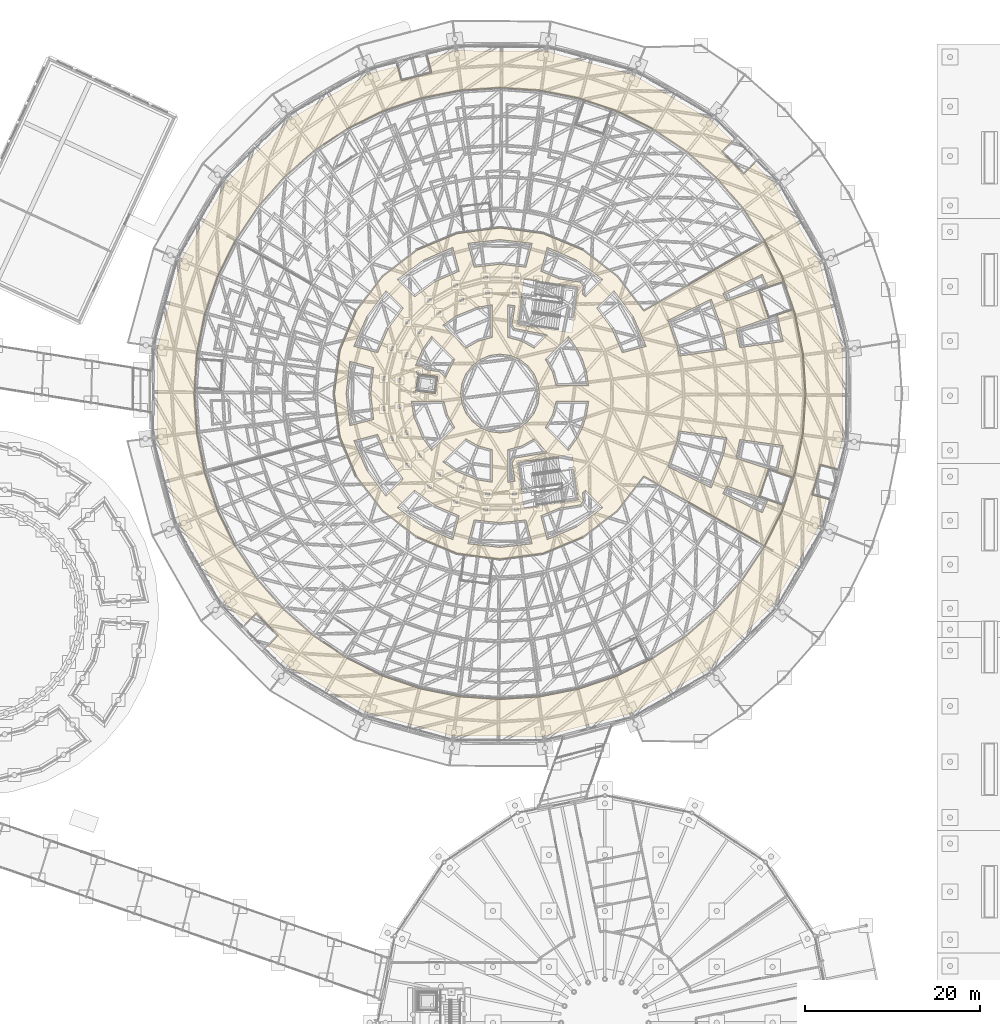
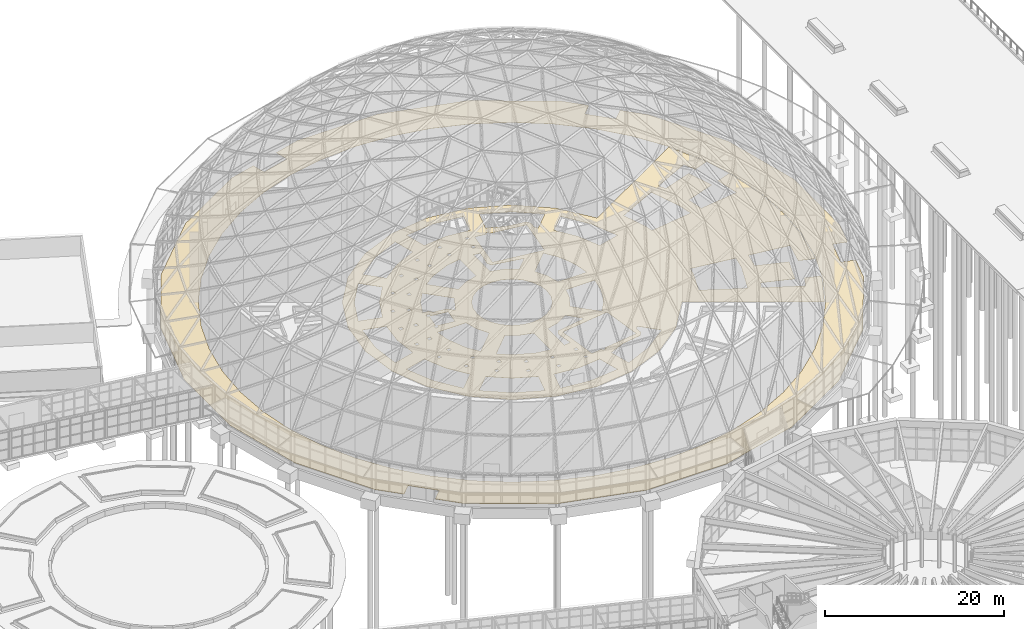
# One storey, part 222 of 226: 2 coverings.
"""IFC4 building model written with IfcOpenShell, lengths in metres."""

from ifc_helpers import new_model, si_unit, direction, origin, place, context, subcontext, project, spatial, polyline, outline, extrude, material, layer, layer_set, type_object, element, save


model = new_model("IFC4")

# Units and contexts
model_context = context("Model", 3, precision=1e-05, world=origin(), true_north=direction((0.0, 1.0)))
body_context = subcontext(model_context, "Body", "Model", "MODEL_VIEW")
ifc_project = project(units=[si_unit("LENGTHUNIT", "METRE"), si_unit("AREAUNIT", "SQUARE_METRE"), si_unit("VOLUMEUNIT", "CUBIC_METRE"), si_unit("PLANEANGLEUNIT", "RADIAN"), si_unit("MASSUNIT", "GRAM", prefix="KILO")], contexts=[model_context])

# Site, building, storey
site_placement = place(None, origin())
site = spatial("IfcSite", under=ifc_project, at=site_placement, CompositionType="ELEMENT")
building_placement = place(site_placement, origin())
building = spatial("IfcBuilding", under=site, at=building_placement, Name="Ceibo Conservatory and Research Tower", CompositionType="ELEMENT")
storey_placement = place(building_placement, origin())
storey = spatial("IfcBuildingStorey", under=building, at=storey_placement, Name="L00", CompositionType="ELEMENT", Elevation=0.0)

# Coverings
ifc_material = material(Name="Granite paving", Category="masonry")
ifc_layer = layer(ifc_material, 0.02001953125)
ifc_layer_set = layer_set([ifc_layer], Name="Granite paving")
covering_type = type_object("IfcCoveringType", Name="Paving 20", PredefinedType="FLOORING", material=ifc_layer_set)
covering_1_placement = place(storey_placement, origin())
element("IfcCovering", 1, at=covering_1_placement, inside=storey, type_object=covering_type, Name="Path paving A-PV01", PredefinedType="FLOORING", context=body_context, shape_type="SweptSolid", body=[
    extrude(outline(polyline([(172.47998046875, 117.4560546875), (172.4541015625, 117.5), (172.4140625, 117.469970703125), (169.39990234375, 121.39990234375), (165.47412109375, 124.409912109375), (160.904052734375, 126.303955078125), (156.0, 126.949951171875), (151.095947265625, 126.303955078125), (146.52587890625, 124.409912109375), (142.60009765625, 121.39990234375), (139.590087890625, 117.47412109375), (137.696044921875, 112.904052734375), (137.050048828125, 108.0), (137.672119140625, 103.27392578125), (137.696044921875, 103.095947265625), (139.590087890625, 98.52587890625), (142.60009765625, 94.60009765625), (146.52587890625, 91.590087890625), (151.095947265625, 89.696044921875), (156.0, 89.050048828125), (160.904052734375, 89.696044921875), (165.47412109375, 91.590087890625), (169.39990234375, 94.60009765625), (172.4140625, 98.530029296875), (172.4541015625, 98.5), (172.47998046875, 98.5439453125), (177.676025390625, 95.5439453125), (182.006103515625, 93.0439453125), (185.469970703125, 91.0439453125), (186.24609375, 90.595947265625), (188.243896484375, 94.64404296875), (188.429931640625, 95.196044921875), (186.635986328125, 95.805908203125), (185.99609375, 94.3720703125), (181.510009765625, 96.55810546875), (181.927978515625, 97.404052734375), (185.637939453125, 96.14404296875), (186.72998046875, 99.364013671875), (183.02001953125, 100.6240234375), (183.43994140625, 102.72998046875), (188.387939453125, 102.033935546875), (187.72802734375, 99.02392578125), (189.52392578125, 98.416015625), (189.7099609375, 98.968017578125), (190.60205078125, 103.444091796875), (190.89990234375, 108.0), (190.60205078125, 112.555908203125), (189.7099609375, 117.031982421875), (189.52392578125, 117.583984375), (187.72802734375, 116.97607421875), (188.387939453125, 113.966064453125), (183.43994140625, 113.27001953125), (183.02001953125, 115.3759765625), (186.72998046875, 116.635986328125), (185.637939453125, 119.85595703125), (181.927978515625, 118.595947265625), (181.510009765625, 119.44189453125), (185.99609375, 121.6279296875), (186.635986328125, 120.194091796875), (188.429931640625, 120.803955078125), (188.243896484375, 121.35595703125), (186.24609375, 125.404052734375), (185.469970703125, 124.9560546875), (182.006103515625, 122.9560546875), (177.676025390625, 120.4560546875), (172.47998046875, 117.4560546875)]), holes=[polyline([(176.510009765625, 112.2958984375), (176.283935546875, 113.43603515625), (175.23193359375, 116.3779296875), (180.166015625, 118.783935546875), (181.597900390625, 114.85791015625), (181.9541015625, 113.06201171875), (176.510009765625, 112.2958984375)]), polyline([(180.166015625, 97.216064453125), (175.23193359375, 99.6220703125), (176.283935546875, 102.56396484375), (176.510009765625, 103.7041015625), (181.9541015625, 102.93798828125), (181.597900390625, 101.14208984375), (180.166015625, 97.216064453125)]), polyline([(171.241943359375, 116.800048828125), (172.7099609375, 113.409912109375), (170.006103515625, 112.68408203125), (168.818115234375, 115.39990234375), (167.06005859375, 117.7880859375), (169.0400390625, 119.76611328125), (171.241943359375, 116.800048828125)]), polyline([(165.451904296875, 119.35400390625), (165.5419921875, 120.27197265625), (165.18408203125, 120.75390625), (162.748046875, 121.137939453125), (160.68408203125, 122.006103515625), (161.409912109375, 124.7099609375), (164.800048828125, 123.241943359375), (167.76611328125, 121.0400390625), (165.7880859375, 119.06005859375), (165.451904296875, 119.35400390625)]), polyline([(162.748046875, 94.862060546875), (165.18408203125, 95.24609375), (165.5419921875, 95.72802734375), (165.451904296875, 96.64599609375), (165.7880859375, 96.93994140625), (167.76611328125, 94.9599609375), (164.800048828125, 92.758056640625), (161.409912109375, 91.2900390625), (160.68408203125, 93.993896484375), (162.748046875, 94.862060546875)]), polyline([(164.833984375, 113.10009765625), (165.424072265625, 111.904052734375), (165.85205078125, 110.639892578125), (166.14208984375, 108.89990234375), (162.43408203125, 108.89990234375), (162.006103515625, 110.488037109375), (161.18603515625, 111.9140625), (163.80810546875, 114.533935546875), (164.833984375, 113.10009765625)]), polyline([(161.18603515625, 104.0859375), (162.006103515625, 105.511962890625), (162.43408203125, 107.10009765625), (166.14208984375, 107.10009765625), (165.85205078125, 105.360107421875), (165.424072265625, 104.095947265625), (164.833984375, 102.89990234375), (163.80810546875, 101.466064453125), (161.18603515625, 104.0859375)]), polyline([(164.239990234375, 115.052001953125), (164.236083984375, 115.0439453125), (164.23193359375, 115.033935546875), (164.22607421875, 115.02587890625), (164.219970703125, 115.01806640625), (164.214111328125, 115.011962890625), (164.2060546875, 115.006103515625), (164.197998046875, 115.0), (164.18798828125, 114.99609375), (164.179931640625, 114.991943359375), (164.169921875, 114.988037109375), (164.159912109375, 114.986083984375), (164.152099609375, 114.986083984375), (164.14208984375, 114.986083984375), (164.132080078125, 114.986083984375), (158.110107421875, 115.83203125), (158.10009765625, 115.833984375), (158.092041015625, 115.837890625), (158.08203125, 115.840087890625), (158.073974609375, 115.845947265625), (158.06591796875, 115.85009765625), (158.05810546875, 115.85595703125), (158.050048828125, 115.864013671875), (158.0439453125, 115.8720703125), (158.0400390625, 115.8798828125), (158.033935546875, 115.887939453125), (158.030029296875, 115.89794921875), (158.028076171875, 115.906005859375), (158.02587890625, 115.916015625), (158.02392578125, 115.926025390625), (158.02392578125, 115.93603515625), (158.02587890625, 115.946044921875), (158.736083984375, 120.99609375), (158.738037109375, 121.006103515625), (158.739990234375, 121.013916015625), (158.743896484375, 121.02392578125), (158.748046875, 121.031982421875), (158.75390625, 121.0400390625), (158.760009765625, 121.048095703125), (158.76611328125, 121.055908203125), (158.77392578125, 121.06201171875), (158.781982421875, 121.068115234375), (158.7900390625, 121.072021484375), (158.800048828125, 121.075927734375), (158.81005859375, 121.077880859375), (158.818115234375, 121.080078125), (158.827880859375, 121.08203125), (158.837890625, 121.08203125), (158.847900390625, 121.080078125), (160.139892578125, 120.89990234375), (160.139892578125, 121.1220703125), (160.5400390625, 121.1220703125), (160.5400390625, 120.843994140625), (164.8701171875, 120.23388671875), (164.8779296875, 120.23193359375), (164.887939453125, 120.22998046875), (164.89794921875, 120.22607421875), (164.906005859375, 120.221923828125), (164.9140625, 120.216064453125), (164.922119140625, 120.2099609375), (164.927978515625, 120.2041015625), (164.93603515625, 120.196044921875), (164.93994140625, 120.18798828125), (164.946044921875, 120.179931640625), (164.949951171875, 120.169921875), (164.951904296875, 120.159912109375), (164.9541015625, 120.152099609375), (164.9541015625, 120.14208984375), (164.9560546875, 120.132080078125), (164.9541015625, 120.1220703125), (164.243896484375, 115.072021484375), (164.241943359375, 115.06201171875), (164.239990234375, 115.052001953125)]), polyline([(160.5400390625, 94.8779296875), (160.139892578125, 94.8779296875), (160.139892578125, 95.10009765625), (158.847900390625, 94.919921875), (158.837890625, 94.91796875), (158.827880859375, 94.91796875), (158.818115234375, 94.919921875), (158.81005859375, 94.922119140625), (158.800048828125, 94.924072265625), (158.7900390625, 94.927978515625), (158.781982421875, 94.931884765625), (158.77392578125, 94.93798828125), (158.76611328125, 94.944091796875), (158.760009765625, 94.951904296875), (158.75390625, 94.9599609375), (158.748046875, 94.968017578125), (158.743896484375, 94.97607421875), (158.739990234375, 94.986083984375), (158.738037109375, 94.993896484375), (158.736083984375, 95.00390625), (158.02587890625, 100.053955078125), (158.02392578125, 100.06396484375), (158.02392578125, 100.073974609375), (158.02587890625, 100.083984375), (158.028076171875, 100.093994140625), (158.030029296875, 100.10205078125), (158.033935546875, 100.112060546875), (158.0400390625, 100.1201171875), (158.0439453125, 100.1279296875), (158.050048828125, 100.135986328125), (158.05810546875, 100.14404296875), (158.06591796875, 100.14990234375), (158.073974609375, 100.154052734375), (158.08203125, 100.159912109375), (158.092041015625, 100.162109375), (158.10009765625, 100.166015625), (158.110107421875, 100.16796875), (164.132080078125, 101.013916015625), (164.14208984375, 101.013916015625), (164.152099609375, 101.013916015625), (164.159912109375, 101.013916015625), (164.169921875, 101.011962890625), (164.179931640625, 101.008056640625), (164.18798828125, 101.00390625), (164.197998046875, 101.0), (164.2060546875, 100.993896484375), (164.214111328125, 100.988037109375), (164.219970703125, 100.98193359375), (164.22607421875, 100.97412109375), (164.23193359375, 100.966064453125), (164.236083984375, 100.9560546875), (164.239990234375, 100.947998046875), (164.241943359375, 100.93798828125), (164.243896484375, 100.927978515625), (164.9541015625, 95.8779296875), (164.9560546875, 95.867919921875), (164.9541015625, 95.85791015625), (164.9541015625, 95.847900390625), (164.951904296875, 95.840087890625), (164.949951171875, 95.830078125), (164.946044921875, 95.820068359375), (164.93994140625, 95.81201171875), (164.93603515625, 95.803955078125), (164.927978515625, 95.7958984375), (164.922119140625, 95.7900390625), (164.9140625, 95.783935546875), (164.906005859375, 95.778076171875), (164.89794921875, 95.77392578125), (164.887939453125, 95.77001953125), (164.8779296875, 95.76806640625), (164.8701171875, 95.76611328125), (160.5400390625, 95.156005859375), (160.5400390625, 94.8779296875)]), polyline([(156.89990234375, 118.14208984375), (157.714111328125, 118.035888671875), (157.367919921875, 115.926025390625), (157.635986328125, 115.429931640625), (161.424072265625, 114.696044921875), (159.9140625, 113.18603515625), (158.488037109375, 114.006103515625), (156.89990234375, 114.43408203125), (156.89990234375, 118.14208984375)]), polyline([(156.89990234375, 101.56591796875), (158.488037109375, 101.993896484375), (159.9140625, 102.81396484375), (161.39990234375, 101.236083984375), (157.68798828125, 100.615966796875), (157.367919921875, 100.073974609375), (157.714111328125, 97.964111328125), (156.89990234375, 97.85791015625), (156.89990234375, 101.56591796875)]), polyline([(159.181884765625, 111.181884765625), (159.89794921875, 110.25), (160.345947265625, 109.1640625), (160.5, 108.0), (160.345947265625, 106.8359375), (159.89794921875, 105.75), (159.181884765625, 104.818115234375), (158.25, 104.10205078125), (157.1640625, 103.654052734375), (156.0, 103.5), (154.8359375, 103.654052734375), (153.75, 104.10205078125), (152.818115234375, 104.818115234375), (152.10205078125, 105.75), (151.654052734375, 106.8359375), (151.5, 108.0), (151.654052734375, 109.1640625), (152.10205078125, 110.25), (152.818115234375, 111.181884765625), (153.75, 111.89794921875), (154.8359375, 112.345947265625), (156.0, 112.5), (157.1640625, 112.345947265625), (158.25, 111.89794921875), (159.181884765625, 111.181884765625)]), polyline([(156.0, 90.39990234375), (152.330078125, 90.823974609375), (153.053955078125, 93.528076171875), (156.0, 93.199951171875), (158.946044921875, 93.528076171875), (159.669921875, 90.823974609375), (156.0, 90.39990234375)]), polyline([(156.0, 125.60009765625), (159.669921875, 125.176025390625), (158.946044921875, 122.471923828125), (156.0, 122.800048828125), (153.053955078125, 122.471923828125), (152.330078125, 125.176025390625), (156.0, 125.60009765625)]), polyline([(158.06396484375, 94.530029296875), (157.6640625, 94.530029296875), (157.6640625, 94.929931640625), (158.06396484375, 94.929931640625), (158.06396484375, 94.530029296875)]), polyline([(157.6640625, 121.070068359375), (157.6640625, 121.469970703125), (158.06396484375, 121.469970703125), (158.06396484375, 121.070068359375), (157.6640625, 121.070068359375)]), polyline([(157.81396484375, 96.31201171875), (157.4140625, 96.31201171875), (157.4140625, 96.7119140625), (157.81396484375, 96.7119140625), (157.81396484375, 96.31201171875)]), polyline([(157.4140625, 119.2880859375), (157.4140625, 119.68798828125), (157.81396484375, 119.68798828125), (157.81396484375, 119.2880859375), (157.4140625, 119.2880859375)]), polyline([(153.360107421875, 117.85205078125), (155.10009765625, 118.14208984375), (155.10009765625, 114.43408203125), (153.511962890625, 114.006103515625), (152.0859375, 113.18603515625), (149.466064453125, 115.80810546875), (150.89990234375, 116.833984375), (153.360107421875, 117.85205078125)]), polyline([(150.89990234375, 99.166015625), (149.466064453125, 100.19189453125), (152.0859375, 102.81396484375), (153.511962890625, 101.993896484375), (155.10009765625, 101.56591796875), (155.10009765625, 97.85791015625), (153.360107421875, 98.14794921875), (150.89990234375, 99.166015625)]), polyline([(154.77001953125, 119.31201171875), (154.3701171875, 119.31201171875), (154.3701171875, 119.7119140625), (154.77001953125, 119.7119140625), (154.77001953125, 119.31201171875)]), polyline([(154.77001953125, 96.2880859375), (154.3701171875, 96.2880859375), (154.3701171875, 96.68798828125), (154.77001953125, 96.68798828125), (154.77001953125, 96.2880859375)]), polyline([(154.14990234375, 121.097900390625), (154.14990234375, 121.498046875), (154.550048828125, 121.498046875), (154.550048828125, 121.097900390625), (154.14990234375, 121.097900390625)]), polyline([(154.550048828125, 94.501953125), (154.14990234375, 94.501953125), (154.14990234375, 94.902099609375), (154.550048828125, 94.902099609375), (154.550048828125, 94.501953125)]), polyline([(151.825927734375, 118.5439453125), (151.426025390625, 118.5439453125), (151.426025390625, 118.944091796875), (151.825927734375, 118.944091796875), (151.825927734375, 118.5439453125)]), polyline([(151.426025390625, 97.055908203125), (151.426025390625, 97.4560546875), (151.825927734375, 97.4560546875), (151.825927734375, 97.055908203125), (151.426025390625, 97.055908203125)]), polyline([(147.199951171875, 92.758056640625), (144.23388671875, 94.9599609375), (146.2119140625, 96.93994140625), (148.60009765625, 95.181884765625), (151.31591796875, 93.993896484375), (150.590087890625, 91.2900390625), (147.199951171875, 92.758056640625)]), polyline([(147.199951171875, 123.241943359375), (150.590087890625, 124.7099609375), (151.31591796875, 122.006103515625), (148.60009765625, 120.818115234375), (146.2119140625, 119.06005859375), (144.23388671875, 121.0400390625), (147.199951171875, 123.241943359375)]), polyline([(151.14599609375, 95.389892578125), (150.74609375, 95.389892578125), (150.74609375, 95.7900390625), (151.14599609375, 95.7900390625), (151.14599609375, 95.389892578125)]), polyline([(151.14599609375, 120.2099609375), (150.74609375, 120.2099609375), (150.74609375, 120.610107421875), (151.14599609375, 120.610107421875), (151.14599609375, 120.2099609375)]), polyline([(148.19189453125, 114.533935546875), (150.81396484375, 111.9140625), (149.763916015625, 109.81005859375), (149.080078125, 110.510009765625), (147.444091796875, 110.74609375), (147.06396484375, 111.154052734375), (146.337890625, 111.199951171875), (147.166015625, 113.10009765625), (148.19189453125, 114.533935546875)]), polyline([(146.14794921875, 105.360107421875), (145.85791015625, 107.10009765625), (149.56591796875, 107.10009765625), (149.993896484375, 105.511962890625), (150.81396484375, 104.0859375), (148.19189453125, 101.466064453125), (147.166015625, 102.89990234375), (146.14794921875, 105.360107421875)]), polyline([(148.781982421875, 117.035888671875), (148.781982421875, 117.43603515625), (149.181884765625, 117.43603515625), (149.181884765625, 117.035888671875), (148.781982421875, 117.035888671875)]), polyline([(149.181884765625, 98.56396484375), (148.781982421875, 98.56396484375), (148.781982421875, 98.964111328125), (149.181884765625, 98.964111328125), (149.181884765625, 98.56396484375)]), polyline([(146.132080078125, 107.919921875), (146.132080078125, 108.320068359375), (146.35791015625, 108.320068359375), (146.60791015625, 110.199951171875), (146.43408203125, 110.199951171875), (146.43408203125, 110.60009765625), (146.833984375, 110.60009765625), (146.833984375, 110.221923828125), (148.843994140625, 109.9560546875), (148.85009765625, 109.9541015625), (148.85400390625, 109.9541015625), (148.85791015625, 109.951904296875), (148.864013671875, 109.949951171875), (148.867919921875, 109.946044921875), (148.8720703125, 109.944091796875), (148.8740234375, 109.93994140625), (148.8779296875, 109.93603515625), (148.8798828125, 109.931884765625), (148.884033203125, 109.927978515625), (148.884033203125, 109.924072265625), (148.885986328125, 109.91796875), (148.887939453125, 109.9140625), (148.887939453125, 109.909912109375), (148.887939453125, 109.904052734375), (148.887939453125, 109.89990234375), (148.637939453125, 108.01611328125), (148.637939453125, 108.011962890625), (148.635986328125, 108.006103515625), (148.634033203125, 108.001953125), (148.632080078125, 107.998046875), (148.6298828125, 107.993896484375), (148.6259765625, 107.989990234375), (148.6240234375, 107.986083984375), (148.6201171875, 107.98193359375), (148.615966796875, 107.97998046875), (148.610107421875, 107.97802734375), (148.60595703125, 107.97607421875), (148.60205078125, 107.97412109375), (148.597900390625, 107.97412109375), (148.592041015625, 107.971923828125), (148.587890625, 107.971923828125), (148.58203125, 107.971923828125), (146.531982421875, 108.243896484375), (146.531982421875, 107.919921875), (146.132080078125, 107.919921875)]), polyline([(148.092041015625, 97.530029296875), (148.092041015625, 97.1298828125), (147.69189453125, 97.1298828125), (147.69189453125, 97.530029296875), (148.092041015625, 97.530029296875)]), polyline([(148.092041015625, 118.469970703125), (147.69189453125, 118.469970703125), (147.69189453125, 118.8701171875), (148.092041015625, 118.8701171875), (148.092041015625, 118.469970703125)]), polyline([(147.02001953125, 114.89208984375), (146.6201171875, 114.89208984375), (146.6201171875, 115.2919921875), (147.02001953125, 115.2919921875), (147.02001953125, 114.89208984375)]), polyline([(147.02001953125, 100.7080078125), (146.6201171875, 100.7080078125), (146.6201171875, 101.10791015625), (147.02001953125, 101.10791015625), (147.02001953125, 100.7080078125)]), polyline([(145.196044921875, 115.993896484375), (145.196044921875, 116.39404296875), (145.595947265625, 116.39404296875), (145.595947265625, 115.993896484375), (145.196044921875, 115.993896484375)]), polyline([(145.595947265625, 99.60595703125), (145.196044921875, 99.60595703125), (145.196044921875, 100.006103515625), (145.595947265625, 100.006103515625), (145.595947265625, 99.60595703125)]), polyline([(145.491943359375, 103.340087890625), (145.092041015625, 103.340087890625), (145.092041015625, 103.739990234375), (145.491943359375, 103.739990234375), (145.491943359375, 103.340087890625)]), polyline([(145.491943359375, 112.260009765625), (145.092041015625, 112.260009765625), (145.092041015625, 112.659912109375), (145.491943359375, 112.659912109375), (145.491943359375, 112.260009765625)]), polyline([(140.758056640625, 99.199951171875), (139.2900390625, 102.590087890625), (141.993896484375, 103.31591796875), (143.181884765625, 100.60009765625), (144.93994140625, 98.2119140625), (142.9599609375, 96.23388671875), (140.758056640625, 99.199951171875)]), polyline([(140.758056640625, 116.800048828125), (142.9599609375, 119.76611328125), (144.93994140625, 117.7880859375), (143.181884765625, 115.39990234375), (141.993896484375, 112.68408203125), (139.2900390625, 113.409912109375), (140.758056640625, 116.800048828125)]), polyline([(144.699951171875, 109.322021484375), (144.300048828125, 109.322021484375), (144.300048828125, 109.721923828125), (144.699951171875, 109.721923828125), (144.699951171875, 109.322021484375)]), polyline([(144.300048828125, 106.278076171875), (144.300048828125, 106.677978515625), (144.699951171875, 106.677978515625), (144.699951171875, 106.278076171875), (144.300048828125, 106.278076171875)]), polyline([(143.830078125, 112.951904296875), (143.429931640625, 112.951904296875), (143.429931640625, 113.35205078125), (143.830078125, 113.35205078125), (143.830078125, 112.951904296875)]), polyline([(143.830078125, 102.64794921875), (143.429931640625, 102.64794921875), (143.429931640625, 103.048095703125), (143.830078125, 103.048095703125), (143.830078125, 102.64794921875)]), polyline([(142.916015625, 109.55810546875), (142.51611328125, 109.55810546875), (142.51611328125, 109.9580078125), (142.916015625, 109.9580078125), (142.916015625, 109.55810546875)]), polyline([(142.916015625, 106.0419921875), (142.51611328125, 106.0419921875), (142.51611328125, 106.44189453125), (142.916015625, 106.44189453125), (142.916015625, 106.0419921875)]), polyline([(138.39990234375, 108.0), (138.823974609375, 111.669921875), (141.528076171875, 110.946044921875), (141.199951171875, 108.0), (141.528076171875, 105.053955078125), (138.823974609375, 104.330078125), (138.39990234375, 108.0)])]), origin(), (0.0, 0.0, 1.0), 0.02001953125),
])
covering_2_placement = place(storey_placement, origin())
element("IfcCovering", 2, at=covering_2_placement, inside=storey, type_object=covering_type, Name="Path paving A-PV02", PredefinedType="FLOORING", context=body_context, shape_type="SweptSolid", body=[
    extrude(outline(polyline([(132.06201171875, 139.47802734375), (124.73193359375, 132.2099609375), (119.530029296875, 123.2919921875), (116.81591796875, 113.33203125), (116.77001953125, 103.010009765625), (119.39794921875, 93.02587890625), (124.52197265625, 84.06201171875), (126.887939453125, 81.676025390625), (128.114013671875, 82.889892578125), (130.64794921875, 80.333984375), (129.422119140625, 79.117919921875), (131.7900390625, 76.73193359375), (140.7080078125, 71.530029296875), (150.66796875, 68.81591796875), (160.989990234375, 68.77001953125), (170.97412109375, 71.39794921875), (179.93798828125, 76.52197265625), (187.26806640625, 83.7900390625), (192.469970703125, 92.7080078125), (193.35400390625, 95.949951171875), (191.68994140625, 96.404052734375), (192.635986328125, 99.8779296875), (194.300048828125, 99.424072265625), (195.18408203125, 102.66796875), (195.22998046875, 112.989990234375), (192.60205078125, 122.97412109375), (187.47802734375, 131.93798828125), (185.112060546875, 134.323974609375), (183.885986328125, 133.110107421875), (181.35205078125, 135.666015625), (182.577880859375, 136.882080078125), (180.2099609375, 139.26806640625), (171.2919921875, 144.469970703125), (161.33203125, 147.18408203125), (151.010009765625, 147.22998046875), (147.758056640625, 146.3740234375), (148.197998046875, 144.7060546875), (144.716064453125, 143.7900390625), (144.27587890625, 145.4580078125), (141.02587890625, 144.60205078125), (132.06201171875, 139.47802734375)]), holes=[polyline([(121.0, 108.0), (121.300048828125, 112.568115234375), (122.19189453125, 117.05810546875), (123.6640625, 121.39404296875), (125.68994140625, 125.5), (128.23193359375, 129.305908203125), (131.251953125, 132.748046875), (134.694091796875, 135.76806640625), (138.5, 138.31005859375), (142.60595703125, 140.3359375), (146.94189453125, 141.80810546875), (151.431884765625, 142.699951171875), (156.0, 143.0), (160.568115234375, 142.699951171875), (165.05810546875, 141.80810546875), (169.39404296875, 140.3359375), (173.5, 138.31005859375), (177.305908203125, 135.76806640625), (180.748046875, 132.748046875), (183.76806640625, 129.305908203125), (186.31005859375, 125.5), (188.3359375, 121.39404296875), (189.80810546875, 117.05810546875), (190.699951171875, 112.568115234375), (191.0, 108.0), (190.699951171875, 103.431884765625), (189.80810546875, 98.94189453125), (188.3359375, 94.60595703125), (186.31005859375, 90.5), (183.76806640625, 86.694091796875), (180.748046875, 83.251953125), (177.305908203125, 80.23193359375), (173.5, 77.68994140625), (169.39404296875, 75.6640625), (165.05810546875, 74.19189453125), (160.568115234375, 73.300048828125), (156.0, 73.0), (151.431884765625, 73.300048828125), (146.94189453125, 74.19189453125), (142.60595703125, 75.6640625), (138.5, 77.68994140625), (134.694091796875, 80.23193359375), (131.251953125, 83.251953125), (128.23193359375, 86.694091796875), (125.68994140625, 90.5), (123.6640625, 94.60595703125), (122.19189453125, 98.94189453125), (121.300048828125, 103.431884765625), (121.0, 108.0)])]), origin(), (0.0, 0.0, 1.0), 0.02001953125),
])

save(model, "model.ifc")
